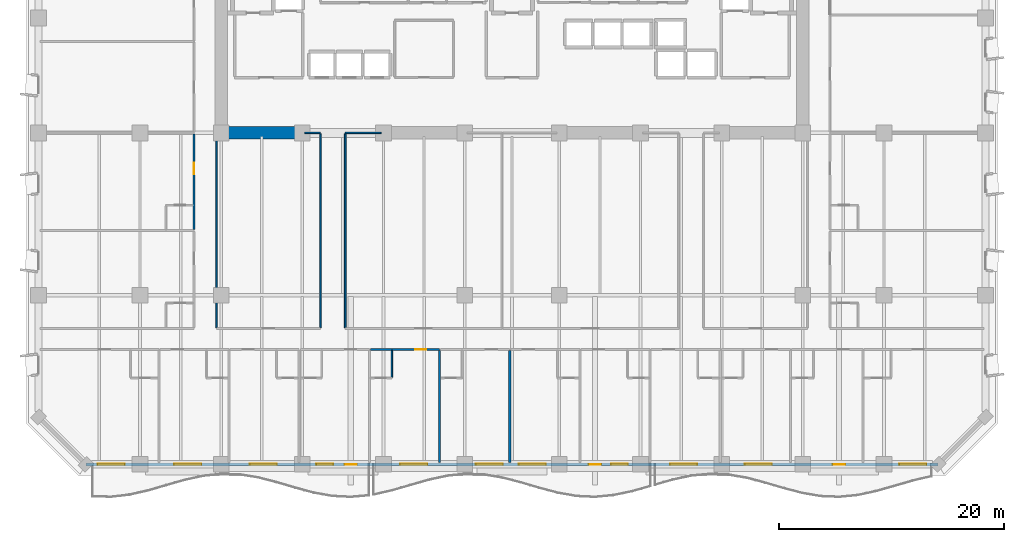
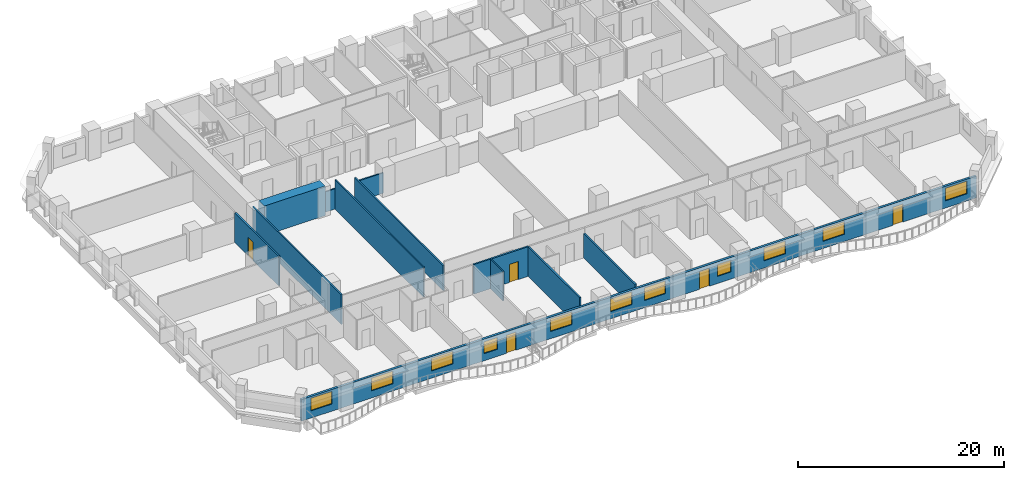
# One storey, part 5 of 15: 12 walls, 11 windows, 5 doors, 16 openings.
"""IFC4 building model written with IfcOpenShell, lengths in metres."""

from ifc_helpers import new_model, si_unit, direction, frame, frame_2d, origin, place, context, subcontext, project, spatial, rectangle, extrude, material, layer, layer_set, type_object, element, fill, save


model = new_model("IFC4")

# Units and contexts
model_context = context("Model", 3, precision=1e-05, world=origin(), true_north=direction((0.0, 1.0)))
body_context = subcontext(model_context, "Body", "Model", "MODEL_VIEW")
ifc_project = project(units=[si_unit("LENGTHUNIT", "METRE"), si_unit("AREAUNIT", "SQUARE_METRE"), si_unit("VOLUMEUNIT", "CUBIC_METRE"), si_unit("PLANEANGLEUNIT", "RADIAN"), si_unit("MASSUNIT", "GRAM", prefix="KILO")], contexts=[model_context])

# Site, building, storey
site_placement = place(None, origin())
site = spatial("IfcSite", under=ifc_project, at=site_placement, CompositionType="ELEMENT")
building_placement = place(site_placement, origin())
building = spatial("IfcBuilding", under=site, at=building_placement, Name="Kaelvorn Grand Hotel", CompositionType="ELEMENT")
storey_placement = place(building_placement, frame((0.0, 0.0, 42.64990234375)))
storey = spatial("IfcBuildingStorey", under=building, at=storey_placement, Name="L08", CompositionType="ELEMENT", Elevation=42.64990234375)

# Wall
ifc_material_1 = material(Name="Concrete C80/95", Category="concrete")
ifc_layer_1 = layer(ifc_material_1, 1.10009765625)
ifc_layer_set_1 = layer_set([ifc_layer_1], Name="Concrete C80/95")
wall_type_1 = type_object("IfcWallType", Name="WL-CORE-1100-C80", PredefinedType="SHEAR", material=ifc_layer_set_1)
wall_1_placement = place(storey_placement, frame((16.7548828125, 29.39990234375, 0.0), z_axis=(0.0, 0.0, 1.0), x_axis=(1.0, 0.0, 0.0)))
element("IfcWall", 1, at=wall_1_placement, inside=storey, type_object=wall_type_1, Name="L08 Rear-Core Coupled Shear Pier S1", PredefinedType="SHEAR", context=body_context, shape_type="SweptSolid", body=[
    extrude(rectangle(XDim=6.84521484375, YDim=1.10009765625, at=frame_2d((3.422607421875, 0.0))), origin(), (0.0, 0.0, 1.0), 3.510009765625),
])

# Wall, openings, doors, windows
ifc_material_2 = material(Name="Concrete C40/50", Category="concrete")
ifc_layer_2 = layer(ifc_material_2, 0.260009765625)
ifc_layer_set_2 = layer_set([ifc_layer_2], Name="Concrete C40/50")
wall_type_2 = type_object("IfcWallType", Name="WL-EXT-260-C40", PredefinedType="SOLIDWALL", material=ifc_layer_set_2)
wall_2_placement = place(storey_placement, frame((4.199951171875, 0.0, 0.0), z_axis=(0.0, 0.0, 1.0), x_axis=(1.0, 0.0, 0.0)))
wall_2 = element("IfcWall", 2, at=wall_2_placement, inside=storey, type_object=wall_type_2, Name="L08 Exterior Architectural Concrete Wall 01", PredefinedType="SOLIDWALL", context=body_context, shape_type="SweptSolid", body=[
    extrude(rectangle(XDim=75.60009765625, YDim=0.260009765625, at=frame_2d((37.800048828125, 0.0))), origin(), (0.0, 0.0, 1.0), 2.56005859375),
])
opening_1_placement = place(wall_2_placement, frame((22.94775390625, 0.0, 0.0)))
opening_1 = element("IfcOpeningElement", 3, at=opening_1_placement, cuts=wall_2, Name="Opening DE2", PredefinedType="OPENING", context=body_context, shape_type="SweptSolid", body=[
    extrude(rectangle(XDim=1.10009765625, YDim=2.14990234375, at=frame_2d((0.550048828125, 1.074951171875))), frame((0.0, 0.14013671875, 0.0), z_axis=(0.0, -1.0, 0.0), x_axis=(1.0, 0.0, 0.0)), (0.0, 0.0, 1.0), 0.280029296875),
])
opening_2_placement = place(wall_2_placement, frame((44.610107421875, 0.0, 0.0)))
opening_2 = element("IfcOpeningElement", 4, at=opening_2_placement, cuts=wall_2, Name="Opening DE2", PredefinedType="OPENING", context=body_context, shape_type="SweptSolid", body=[
    extrude(rectangle(XDim=1.10009765625, YDim=2.14990234375, at=frame_2d((0.550048828125, 1.074951171875))), frame((0.0, 0.14013671875, 0.0), z_axis=(0.0, -1.0, 0.0), x_axis=(1.0, 0.0, 0.0)), (0.0, 0.0, 1.0), 0.280029296875),
])
opening_3_placement = place(wall_2_placement, frame((66.272216796875, 0.0, 0.0)))
opening_3 = element("IfcOpeningElement", 5, at=opening_3_placement, cuts=wall_2, Name="Opening DE2", PredefinedType="OPENING", context=body_context, shape_type="SweptSolid", body=[
    extrude(rectangle(XDim=1.10009765625, YDim=2.14990234375, at=frame_2d((0.550048828125, 1.074951171875))), frame((0.0, 0.14013671875, 0.0), z_axis=(0.0, -1.0, 0.0), x_axis=(1.0, 0.0, 0.0)), (0.0, 0.0, 1.0), 0.280029296875),
])
opening_4_placement = place(wall_2_placement, frame((1.034912109375, 0.0, 0.85009765625)))
opening_4 = element("IfcOpeningElement", 6, at=opening_4_placement, cuts=wall_2, Name="Opening W6", PredefinedType="OPENING", context=body_context, shape_type="SweptSolid", body=[
    extrude(rectangle(XDim=2.39990234375, YDim=1.5, at=frame_2d((1.199951171875, 0.75))), frame((0.0, 0.14013671875, 0.0), z_axis=(0.0, -1.0, 0.0), x_axis=(1.0, 0.0, 0.0)), (0.0, 0.0, 1.0), 0.280029296875),
])
opening_5_placement = place(wall_2_placement, frame((7.83740234375, 0.0, 0.85009765625)))
opening_5 = element("IfcOpeningElement", 7, at=opening_5_placement, cuts=wall_2, Name="Opening W6", PredefinedType="OPENING", context=body_context, shape_type="SweptSolid", body=[
    extrude(rectangle(XDim=2.39990234375, YDim=1.5, at=frame_2d((1.199951171875, 0.75))), frame((0.0, 0.14013671875, 0.0), z_axis=(0.0, -1.0, 0.0), x_axis=(1.0, 0.0, 0.0)), (0.0, 0.0, 1.0), 0.280029296875),
])
opening_6_placement = place(wall_2_placement, frame((14.550048828125, 0.0, 0.85009765625)))
opening_6 = element("IfcOpeningElement", 8, at=opening_6_placement, cuts=wall_2, Name="Opening W6", PredefinedType="OPENING", context=body_context, shape_type="SweptSolid", body=[
    extrude(rectangle(XDim=2.39990234375, YDim=1.5, at=frame_2d((1.199951171875, 0.75))), frame((0.0, 0.14013671875, 0.0), z_axis=(0.0, -1.0, 0.0), x_axis=(1.0, 0.0, 0.0)), (0.0, 0.0, 1.0), 0.280029296875),
])
opening_7_placement = place(wall_2_placement, frame((20.43896484375, 0.0, 0.85009765625)))
opening_7 = element("IfcOpeningElement", 9, at=opening_7_placement, cuts=wall_2, Name="Opening W10", PredefinedType="OPENING", context=body_context, shape_type="SweptSolid", body=[
    extrude(rectangle(XDim=1.5, YDim=1.39990234375, at=frame_2d((0.75, 0.699951171875))), frame((0.0, 0.14013671875, 0.0), z_axis=(0.0, -1.0, 0.0), x_axis=(1.0, 0.0, 0.0)), (0.0, 0.0, 1.0), 0.280029296875),
])
opening_8_placement = place(wall_2_placement, frame((27.886962890625, 0.0, 0.85009765625)))
opening_8 = element("IfcOpeningElement", 10, at=opening_8_placement, cuts=wall_2, Name="Opening W6", PredefinedType="OPENING", context=body_context, shape_type="SweptSolid", body=[
    extrude(rectangle(XDim=2.39990234375, YDim=1.5, at=frame_2d((1.199951171875, 0.75))), frame((0.0, 0.14013671875, 0.0), z_axis=(0.0, -1.0, 0.0), x_axis=(1.0, 0.0, 0.0)), (0.0, 0.0, 1.0), 0.280029296875),
])
opening_9_placement = place(wall_2_placement, frame((34.599609375, 0.0, 0.85009765625)))
opening_9 = element("IfcOpeningElement", 11, at=opening_9_placement, cuts=wall_2, Name="Opening W6", PredefinedType="OPENING", context=body_context, shape_type="SweptSolid", body=[
    extrude(rectangle(XDim=2.39990234375, YDim=1.5, at=frame_2d((1.199951171875, 0.75))), frame((0.0, 0.14013671875, 0.0), z_axis=(0.0, -1.0, 0.0), x_axis=(1.0, 0.0, 0.0)), (0.0, 0.0, 1.0), 0.280029296875),
])
opening_10_placement = place(wall_2_placement, frame((38.3994140625, 0.0, 0.85009765625)))
opening_10 = element("IfcOpeningElement", 12, at=opening_10_placement, cuts=wall_2, Name="Opening W6", PredefinedType="OPENING", context=body_context, shape_type="SweptSolid", body=[
    extrude(rectangle(XDim=2.39990234375, YDim=1.5, at=frame_2d((1.199951171875, 0.75))), frame((0.0, 0.14013671875, 0.0), z_axis=(0.0, -1.0, 0.0), x_axis=(1.0, 0.0, 0.0)), (0.0, 0.0, 1.0), 0.280029296875),
])
opening_11_placement = place(wall_2_placement, frame((46.590087890625, 0.0, 0.85009765625)))
opening_11 = element("IfcOpeningElement", 13, at=opening_11_placement, cuts=wall_2, Name="Opening W10", PredefinedType="OPENING", context=body_context, shape_type="SweptSolid", body=[
    extrude(rectangle(XDim=1.5, YDim=1.39990234375, at=frame_2d((0.75, 0.699951171875))), frame((0.0, 0.14013671875, 0.0), z_axis=(0.0, -1.0, 0.0), x_axis=(1.0, 0.0, 0.0)), (0.0, 0.0, 1.0), 0.280029296875),
])
opening_12_placement = place(wall_2_placement, frame((51.824462890625, 0.0, 0.85009765625)))
opening_12 = element("IfcOpeningElement", 14, at=opening_12_placement, cuts=wall_2, Name="Opening W6", PredefinedType="OPENING", context=body_context, shape_type="SweptSolid", body=[
    extrude(rectangle(XDim=2.39990234375, YDim=1.5, at=frame_2d((1.199951171875, 0.75))), frame((0.0, 0.14013671875, 0.0), z_axis=(0.0, -1.0, 0.0), x_axis=(1.0, 0.0, 0.0)), (0.0, 0.0, 1.0), 0.280029296875),
])
opening_13_placement = place(wall_2_placement, frame((58.449462890625, 0.0, 0.85009765625)))
opening_13 = element("IfcOpeningElement", 15, at=opening_13_placement, cuts=wall_2, Name="Opening W6", PredefinedType="OPENING", context=body_context, shape_type="SweptSolid", body=[
    extrude(rectangle(XDim=2.39990234375, YDim=1.5, at=frame_2d((1.199951171875, 0.75))), frame((0.0, 0.14013671875, 0.0), z_axis=(0.0, -1.0, 0.0), x_axis=(1.0, 0.0, 0.0)), (0.0, 0.0, 1.0), 0.280029296875),
])
opening_14_placement = place(wall_2_placement, frame((72.1650390625, 0.0, 0.85009765625)))
opening_14 = element("IfcOpeningElement", 16, at=opening_14_placement, cuts=wall_2, Name="Opening W6", PredefinedType="OPENING", context=body_context, shape_type="SweptSolid", body=[
    extrude(rectangle(XDim=2.39990234375, YDim=1.5, at=frame_2d((1.199951171875, 0.75))), frame((0.0, 0.14013671875, 0.0), z_axis=(0.0, -1.0, 0.0), x_axis=(1.0, 0.0, 0.0)), (0.0, 0.0, 1.0), 0.280029296875),
])
ifc_material_3 = material(Name="Anodised Aluminium", Category="aluminium")
door_type_1 = type_object("IfcDoorType", Name="DR-EXT-BALC-1100x2150", OperationType="NOTDEFINED", PredefinedType="DOOR", material=ifc_material_3)
door_1_placement = place(opening_1_placement, origin())
door_1 = element("IfcDoor", 17, at=door_1_placement, inside=storey, type_object=door_type_1, Name="L08 Scalloped Balcony Glazed Door DE2-1", OperationType="SINGLE_SWING_LEFT", OverallHeight=2.14990234375, OverallWidth=1.10009765625, PredefinedType="DOOR", context=body_context, shape_type="SweptSolid", body=[
    extrude(rectangle(XDim=1.10009765625, YDim=2.14990234375, at=frame_2d((0.550048828125, 1.074951171875))), frame((0.0, 0.02490234375, 0.0), z_axis=(0.0, -1.0, 0.0), x_axis=(1.0, 0.0, 0.0)), (0.0, 0.0, 1.0), 0.050048828125),
])
fill(opening_1, door_1)
door_2_placement = place(opening_2_placement, origin())
door_2 = element("IfcDoor", 18, at=door_2_placement, inside=storey, type_object=door_type_1, Name="L08 Scalloped Balcony Glazed Door DE2-2", OperationType="SINGLE_SWING_RIGHT", OverallHeight=2.14990234375, OverallWidth=1.10009765625, PredefinedType="DOOR", context=body_context, shape_type="SweptSolid", body=[
    extrude(rectangle(XDim=1.10009765625, YDim=2.14990234375, at=frame_2d((0.550048828125, 1.074951171875))), frame((0.0, 0.02490234375, 0.0), z_axis=(0.0, -1.0, 0.0), x_axis=(1.0, 0.0, 0.0)), (0.0, 0.0, 1.0), 0.050048828125),
])
fill(opening_2, door_2)
door_3_placement = place(opening_3_placement, origin())
door_3 = element("IfcDoor", 19, at=door_3_placement, inside=storey, type_object=door_type_1, Name="L08 Scalloped Balcony Glazed Door DE2-3", OperationType="SINGLE_SWING_LEFT", OverallHeight=2.14990234375, OverallWidth=1.10009765625, PredefinedType="DOOR", context=body_context, shape_type="SweptSolid", body=[
    extrude(rectangle(XDim=1.10009765625, YDim=2.14990234375, at=frame_2d((0.550048828125, 1.074951171875))), frame((0.0, 0.02490234375, 0.0), z_axis=(0.0, -1.0, 0.0), x_axis=(1.0, 0.0, 0.0)), (0.0, 0.0, 1.0), 0.050048828125),
])
fill(opening_3, door_3)
ifc_material_4 = material(Name="Laminated Low-E Glass", Category="glass")
window_type_1 = type_object("IfcWindowType", Name="WIN-COR-1500x1400", PartitioningType="SINGLE_PANEL", PredefinedType="WINDOW", material=ifc_material_4)
window_1_placement = place(opening_7_placement, origin())
window_1 = element("IfcWindow", 20, at=window_1_placement, inside=storey, type_object=window_type_1, Name="L08 South Guestroom Ribbon Window SR04", OverallHeight=1.39990234375, OverallWidth=1.5, PartitioningType="SINGLE_PANEL", PredefinedType="WINDOW", context=body_context, shape_type="SweptSolid", body=[
    extrude(rectangle(XDim=1.5, YDim=1.39990234375, at=frame_2d((0.75, 0.699951171875))), frame((0.0, 0.030029296875, 0.0), z_axis=(0.0, -1.0, 0.0), x_axis=(1.0, 0.0, 0.0)), (0.0, 0.0, 1.0), 0.06005859375),
])
fill(opening_7, window_1)
window_2_placement = place(opening_11_placement, origin())
window_2 = element("IfcWindow", 21, at=window_2_placement, inside=storey, type_object=window_type_1, Name="L08 South Guestroom Ribbon Window SR08", OverallHeight=1.39990234375, OverallWidth=1.5, PartitioningType="SINGLE_PANEL", PredefinedType="WINDOW", context=body_context, shape_type="SweptSolid", body=[
    extrude(rectangle(XDim=1.5, YDim=1.39990234375, at=frame_2d((0.75, 0.699951171875))), frame((0.0, 0.030029296875, 0.0), z_axis=(0.0, -1.0, 0.0), x_axis=(1.0, 0.0, 0.0)), (0.0, 0.0, 1.0), 0.06005859375),
])
fill(opening_11, window_2)
window_type_2 = type_object("IfcWindowType", Name="WIN-NTH-2400x1500", PartitioningType="SINGLE_PANEL", PredefinedType="WINDOW", material=ifc_material_4)
window_3_placement = place(opening_4_placement, origin())
window_3 = element("IfcWindow", 22, at=window_3_placement, inside=storey, type_object=window_type_2, Name="L08 South Guestroom Ribbon Window SR01", OverallHeight=1.5, OverallWidth=2.39990234375, PartitioningType="SINGLE_PANEL", PredefinedType="WINDOW", context=body_context, shape_type="SweptSolid", body=[
    extrude(rectangle(XDim=2.39990234375, YDim=1.5, at=frame_2d((1.199951171875, 0.75))), frame((0.0, 0.030029296875, 0.0), z_axis=(0.0, -1.0, 0.0), x_axis=(1.0, 0.0, 0.0)), (0.0, 0.0, 1.0), 0.06005859375),
])
fill(opening_4, window_3)
window_4_placement = place(opening_5_placement, origin())
window_4 = element("IfcWindow", 23, at=window_4_placement, inside=storey, type_object=window_type_2, Name="L08 South Guestroom Ribbon Window SR02", OverallHeight=1.5, OverallWidth=2.39990234375, PartitioningType="SINGLE_PANEL", PredefinedType="WINDOW", context=body_context, shape_type="SweptSolid", body=[
    extrude(rectangle(XDim=2.39990234375, YDim=1.5, at=frame_2d((1.199951171875, 0.75))), frame((0.0, 0.030029296875, 0.0), z_axis=(0.0, -1.0, 0.0), x_axis=(1.0, 0.0, 0.0)), (0.0, 0.0, 1.0), 0.06005859375),
])
fill(opening_5, window_4)
window_5_placement = place(opening_6_placement, origin())
window_5 = element("IfcWindow", 24, at=window_5_placement, inside=storey, type_object=window_type_2, Name="L08 South Guestroom Ribbon Window SR03", OverallHeight=1.5, OverallWidth=2.39990234375, PartitioningType="SINGLE_PANEL", PredefinedType="WINDOW", context=body_context, shape_type="SweptSolid", body=[
    extrude(rectangle(XDim=2.39990234375, YDim=1.5, at=frame_2d((1.199951171875, 0.75))), frame((0.0, 0.030029296875, 0.0), z_axis=(0.0, -1.0, 0.0), x_axis=(1.0, 0.0, 0.0)), (0.0, 0.0, 1.0), 0.06005859375),
])
fill(opening_6, window_5)
window_6_placement = place(opening_8_placement, origin())
window_6 = element("IfcWindow", 25, at=window_6_placement, inside=storey, type_object=window_type_2, Name="L08 South Guestroom Ribbon Window SR05", OverallHeight=1.5, OverallWidth=2.39990234375, PartitioningType="SINGLE_PANEL", PredefinedType="WINDOW", context=body_context, shape_type="SweptSolid", body=[
    extrude(rectangle(XDim=2.39990234375, YDim=1.5, at=frame_2d((1.199951171875, 0.75))), frame((0.0, 0.030029296875, 0.0), z_axis=(0.0, -1.0, 0.0), x_axis=(1.0, 0.0, 0.0)), (0.0, 0.0, 1.0), 0.06005859375),
])
fill(opening_8, window_6)
window_7_placement = place(opening_9_placement, origin())
window_7 = element("IfcWindow", 26, at=window_7_placement, inside=storey, type_object=window_type_2, Name="L08 South Guestroom Ribbon Window SR06", OverallHeight=1.5, OverallWidth=2.39990234375, PartitioningType="SINGLE_PANEL", PredefinedType="WINDOW", context=body_context, shape_type="SweptSolid", body=[
    extrude(rectangle(XDim=2.39990234375, YDim=1.5, at=frame_2d((1.199951171875, 0.75))), frame((0.0, 0.030029296875, 0.0), z_axis=(0.0, -1.0, 0.0), x_axis=(1.0, 0.0, 0.0)), (0.0, 0.0, 1.0), 0.06005859375),
])
fill(opening_9, window_7)
window_8_placement = place(opening_10_placement, origin())
window_8 = element("IfcWindow", 27, at=window_8_placement, inside=storey, type_object=window_type_2, Name="L08 South Guestroom Ribbon Window SR07", OverallHeight=1.5, OverallWidth=2.39990234375, PartitioningType="SINGLE_PANEL", PredefinedType="WINDOW", context=body_context, shape_type="SweptSolid", body=[
    extrude(rectangle(XDim=2.39990234375, YDim=1.5, at=frame_2d((1.199951171875, 0.75))), frame((0.0, 0.030029296875, 0.0), z_axis=(0.0, -1.0, 0.0), x_axis=(1.0, 0.0, 0.0)), (0.0, 0.0, 1.0), 0.06005859375),
])
fill(opening_10, window_8)
window_9_placement = place(opening_12_placement, origin())
window_9 = element("IfcWindow", 28, at=window_9_placement, inside=storey, type_object=window_type_2, Name="L08 South Guestroom Ribbon Window SR09", OverallHeight=1.5, OverallWidth=2.39990234375, PartitioningType="SINGLE_PANEL", PredefinedType="WINDOW", context=body_context, shape_type="SweptSolid", body=[
    extrude(rectangle(XDim=2.39990234375, YDim=1.5, at=frame_2d((1.199951171875, 0.75))), frame((0.0, 0.030029296875, 0.0), z_axis=(0.0, -1.0, 0.0), x_axis=(1.0, 0.0, 0.0)), (0.0, 0.0, 1.0), 0.06005859375),
])
fill(opening_12, window_9)
window_10_placement = place(opening_13_placement, origin())
window_10 = element("IfcWindow", 29, at=window_10_placement, inside=storey, type_object=window_type_2, Name="L08 South Guestroom Ribbon Window SR10", OverallHeight=1.5, OverallWidth=2.39990234375, PartitioningType="SINGLE_PANEL", PredefinedType="WINDOW", context=body_context, shape_type="SweptSolid", body=[
    extrude(rectangle(XDim=2.39990234375, YDim=1.5, at=frame_2d((1.199951171875, 0.75))), frame((0.0, 0.030029296875, 0.0), z_axis=(0.0, -1.0, 0.0), x_axis=(1.0, 0.0, 0.0)), (0.0, 0.0, 1.0), 0.06005859375),
])
fill(opening_13, window_10)
window_11_placement = place(opening_14_placement, origin())
window_11 = element("IfcWindow", 30, at=window_11_placement, inside=storey, type_object=window_type_2, Name="L08 South Guestroom Ribbon Window SR11", OverallHeight=1.5, OverallWidth=2.39990234375, PartitioningType="SINGLE_PANEL", PredefinedType="WINDOW", context=body_context, shape_type="SweptSolid", body=[
    extrude(rectangle(XDim=2.39990234375, YDim=1.5, at=frame_2d((1.199951171875, 0.75))), frame((0.0, 0.030029296875, 0.0), z_axis=(0.0, -1.0, 0.0), x_axis=(1.0, 0.0, 0.0)), (0.0, 0.0, 1.0), 0.06005859375),
])
fill(opening_14, window_11)

# Walls
ifc_material_5 = material(Name="Moisture-Resistant Tile & Stud Board")
ifc_layer_3 = layer(ifc_material_5, 0.125)
ifc_layer_set_3 = layer_set([ifc_layer_3], Name="Moisture-Resistant Tile & Stud Board")
wall_type_3 = type_object("IfcWallType", Name="WL-PART-125-WET", PredefinedType="PARTITIONING", material=ifc_layer_set_3)
wall_3_placement = place(storey_placement, frame((31.349609375, 7.717529296875, 0.0), z_axis=(0.0, 0.0, 1.0), x_axis=(0.0, 1.0, 0.0)))
element("IfcWall", 31, at=wall_3_placement, inside=storey, type_object=wall_type_3, Name="L08 En-suite Bathroom L08-05 E Partition", PredefinedType="PARTITIONING", context=body_context, shape_type="SweptSolid", body=[
    extrude(rectangle(XDim=2.387451171875, YDim=0.125, at=frame_2d((1.19384765625, 0.0))), origin(), (0.0, 0.0, 1.0), 3.510009765625),
])
ifc_material_6 = material(Name="Acoustic Gypsum & Stud Partition")
ifc_layer_4 = layer(ifc_material_6, 0.14990234375)
ifc_layer_set_4 = layer_set([ifc_layer_4], Name="Acoustic Gypsum & Stud Partition")
wall_type_4 = type_object("IfcWallType", Name="WL-PART-150-EI60", PredefinedType="PARTITIONING", material=ifc_layer_set_4)
wall_4_placement = place(storey_placement, frame((23.610107421875, 29.39990234375, 0.0), z_axis=(0.0, 0.0, 1.0), x_axis=(1.0, 0.0, 0.0)))
element("IfcWall", 32, at=wall_4_placement, inside=storey, type_object=wall_type_4, Name="L08 Private Dining Restaurant N Partition", PredefinedType="PARTITIONING", context=body_context, shape_type="SweptSolid", body=[
    extrude(rectangle(XDim=1.389892578125, YDim=0.14990234375, at=frame_2d((0.69482421875, 0.0))), origin(), (0.0, 0.0, 1.0), 2.41015625),
])
wall_5_placement = place(storey_placement, frame((15.800048828125, 12.1298828125, 0.0), z_axis=(0.0, 0.0, 1.0), x_axis=(0.0, 1.0, 0.0)))
element("IfcWall", 33, at=wall_5_placement, inside=storey, type_object=wall_type_4, Name="L08 Private Dining Restaurant W Partition", PredefinedType="PARTITIONING", context=body_context, shape_type="SweptSolid", body=[
    extrude(rectangle(XDim=17.260009765625, YDim=0.14990234375, at=frame_2d((8.6298828125, 0.0))), origin(), (0.0, 0.0, 1.0), 3.510009765625),
])
wall_6_placement = place(storey_placement, frame((25.0, 12.1298828125, 0.0), z_axis=(0.0, 0.0, 1.0), x_axis=(0.0, 1.0, 0.0)))
element("IfcWall", 34, at=wall_6_placement, inside=storey, type_object=wall_type_4, Name="L08 Private Dining Restaurant E Partition", PredefinedType="PARTITIONING", context=body_context, shape_type="SweptSolid", body=[
    extrude(rectangle(XDim=17.190185546875, YDim=0.14990234375, at=frame_2d((8.59521484375, 0.0))), origin(), (0.0, 0.0, 1.0), 3.510009765625),
])
wall_7_placement = place(storey_placement, frame((27.199951171875, 29.39990234375, 0.0), z_axis=(0.0, 0.0, 1.0), x_axis=(1.0, 0.0, 0.0)))
element("IfcWall", 35, at=wall_7_placement, inside=storey, type_object=wall_type_4, Name="L08 Hospitality Tea Kitchen N Partition (1)", PredefinedType="PARTITIONING", context=body_context, shape_type="SweptSolid", body=[
    extrude(rectangle(XDim=3.18994140625, YDim=0.14990234375, at=frame_2d((1.594970703125, 0.0))), origin(), (0.0, 0.0, 1.0), 2.41015625),
])
wall_8_placement = place(storey_placement, frame((27.199951171875, 12.1298828125, 0.0), z_axis=(0.0, 0.0, 1.0), x_axis=(0.0, 1.0, 0.0)))
element("IfcWall", 36, at=wall_8_placement, inside=storey, type_object=wall_type_4, Name="L08 Hospitality Tea Kitchen W Partition", PredefinedType="PARTITIONING", context=body_context, shape_type="SweptSolid", body=[
    extrude(rectangle(XDim=17.190185546875, YDim=0.14990234375, at=frame_2d((8.59521484375, 0.0))), origin(), (0.0, 0.0, 1.0), 2.97705078125),
])

# Wall, opening, door
ifc_layer_5 = layer(ifc_material_6, 0.179931640625)
ifc_layer_set_5 = layer_set([ifc_layer_5], Name="Acoustic Gypsum & Stud Partition")
wall_type_5 = type_object("IfcWallType", Name="WL-PART-180-EI60", PredefinedType="PARTITIONING", material=ifc_layer_set_5)
wall_9_placement = place(storey_placement, frame((29.444580078125, 10.199951171875, 0.0), z_axis=(0.0, 0.0, 1.0), x_axis=(1.0, 0.0, 0.0)))
wall_9 = element("IfcWall", 37, at=wall_9_placement, inside=storey, type_object=wall_type_5, Name="L08 Deluxe Panoramic Suite L08-05 N Partition", PredefinedType="PARTITIONING", context=body_context, shape_type="SweptSolid", body=[
    extrude(rectangle(XDim=6.129638671875, YDim=0.179931640625, at=frame_2d((3.06494140625, 0.0))), origin(), (0.0, 0.0, 1.0), 3.510009765625),
])
opening_15_placement = place(wall_9_placement, frame((3.96728515625, 0.0, 0.0)))
opening_15 = element("IfcOpeningElement", 38, at=opening_15_placement, cuts=wall_9, Name="Opening DI3", PredefinedType="OPENING", context=body_context, shape_type="SweptSolid", body=[
    extrude(rectangle(XDim=1.0, YDim=2.14990234375, at=frame_2d((0.5, 1.074951171875))), frame((0.0, 0.10009765625, 0.0), z_axis=(0.0, -1.0, 0.0), x_axis=(1.0, 0.0, 0.0)), (0.0, 0.0, 1.0), 0.199951171875),
])
ifc_material_7 = material(Name="Timber Veneer Fire Leaf", Category="wood")
door_type_2 = type_object("IfcDoorType", Name="DR-INT-GUEST-1000x2150", OperationType="NOTDEFINED", PredefinedType="DOOR", material=ifc_material_7)
door_4_placement = place(opening_15_placement, origin())
door_4 = element("IfcDoor", 39, at=door_4_placement, inside=storey, type_object=door_type_2, Name="L08 Deluxe Panoramic Suite L08-05 Door", OperationType="SINGLE_SWING_LEFT", OverallHeight=2.14990234375, OverallWidth=1.0, PredefinedType="DOOR", context=body_context, shape_type="SweptSolid", body=[
    extrude(rectangle(XDim=1.0, YDim=2.14990234375, at=frame_2d((0.5, 1.074951171875))), frame((0.0, 0.02490234375, 0.0), z_axis=(0.0, -1.0, 0.0), x_axis=(1.0, 0.0, 0.0)), (0.0, 0.0, 1.0), 0.050048828125),
])
fill(opening_15, door_4)

# Walls
wall_10_placement = place(storey_placement, frame((35.57421875, 0.14990234375, 0.0), z_axis=(0.0, 0.0, 1.0), x_axis=(0.0, 1.0, 0.0)))
element("IfcWall", 40, at=wall_10_placement, inside=storey, type_object=wall_type_5, Name="L08 Deluxe Panoramic Suite L08-05 E Partition", PredefinedType="PARTITIONING", context=body_context, shape_type="SweptSolid", body=[
    extrude(rectangle(XDim=9.955078125, YDim=0.179931640625, at=frame_2d((4.9775390625, 0.0))), origin(), (0.0, 0.0, 1.0), 3.510009765625),
])
wall_11_placement = place(storey_placement, frame((41.79931640625, 0.14990234375, 0.0), z_axis=(0.0, 0.0, 1.0), x_axis=(0.0, 1.0, 0.0)))
element("IfcWall", 41, at=wall_11_placement, inside=storey, type_object=wall_type_5, Name="L08 Deluxe King Guest Room L08-06 E Partition", PredefinedType="PARTITIONING", context=body_context, shape_type="SweptSolid", body=[
    extrude(rectangle(XDim=9.955078125, YDim=0.179931640625, at=frame_2d((4.9775390625, 0.0))), origin(), (0.0, 0.0, 1.0), 2.89794921875),
])

# Wall, opening, door
wall_12_placement = place(storey_placement, frame((13.800048828125, 20.824951171875, 0.0), z_axis=(0.0, 0.0, 1.0), x_axis=(0.0, 1.0, 0.0)))
wall_12 = element("IfcWall", 42, at=wall_12_placement, inside=storey, type_object=wall_type_5, Name="L08 West Mid-Wing Suite L08-14 E Partition", PredefinedType="PARTITIONING", context=body_context, shape_type="SweptSolid", body=[
    extrude(rectangle(XDim=8.47998046875, YDim=0.179931640625, at=frame_2d((4.239990234375, 0.0))), origin(), (0.0, 0.0, 1.0), 3.510009765625),
])
opening_16_placement = place(wall_12_placement, frame((4.925048828125, 0.0, 0.0)))
opening_16 = element("IfcOpeningElement", 43, at=opening_16_placement, cuts=wall_12, Name="Opening DI3", PredefinedType="OPENING", context=body_context, shape_type="SweptSolid", body=[
    extrude(rectangle(XDim=1.0, YDim=2.14990234375, at=frame_2d((0.5, 1.074951171875))), frame((0.0, 0.10009765625, 0.0), z_axis=(0.0, -1.0, 0.0), x_axis=(1.0, 0.0, 0.0)), (0.0, 0.0, 1.0), 0.199951171875),
])
door_5_placement = place(opening_16_placement, origin())
door_5 = element("IfcDoor", 44, at=door_5_placement, inside=storey, type_object=door_type_2, Name="L08 West Mid-Wing Suite L08-14 Door", OperationType="SINGLE_SWING_LEFT", OverallHeight=2.14990234375, OverallWidth=1.0, PredefinedType="DOOR", context=body_context, shape_type="SweptSolid", body=[
    extrude(rectangle(XDim=1.0, YDim=2.14990234375, at=frame_2d((0.5, 1.074951171875))), frame((0.0, 0.02490234375, 0.0), z_axis=(0.0, -1.0, 0.0), x_axis=(1.0, 0.0, 0.0)), (0.0, 0.0, 1.0), 0.050048828125),
])
fill(opening_16, door_5)

save(model, "model.ifc")
